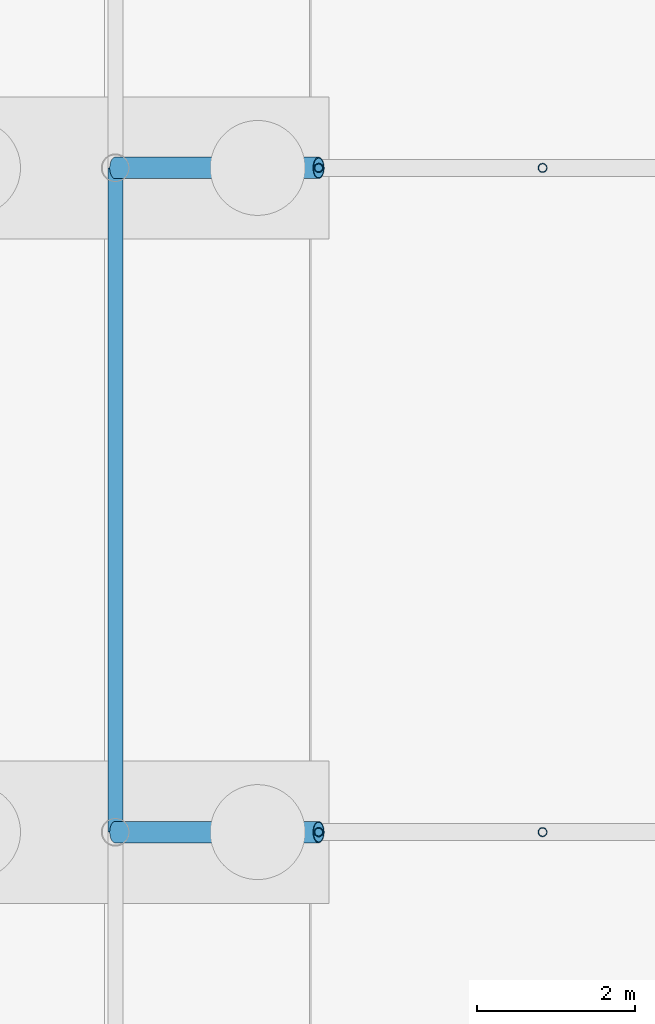
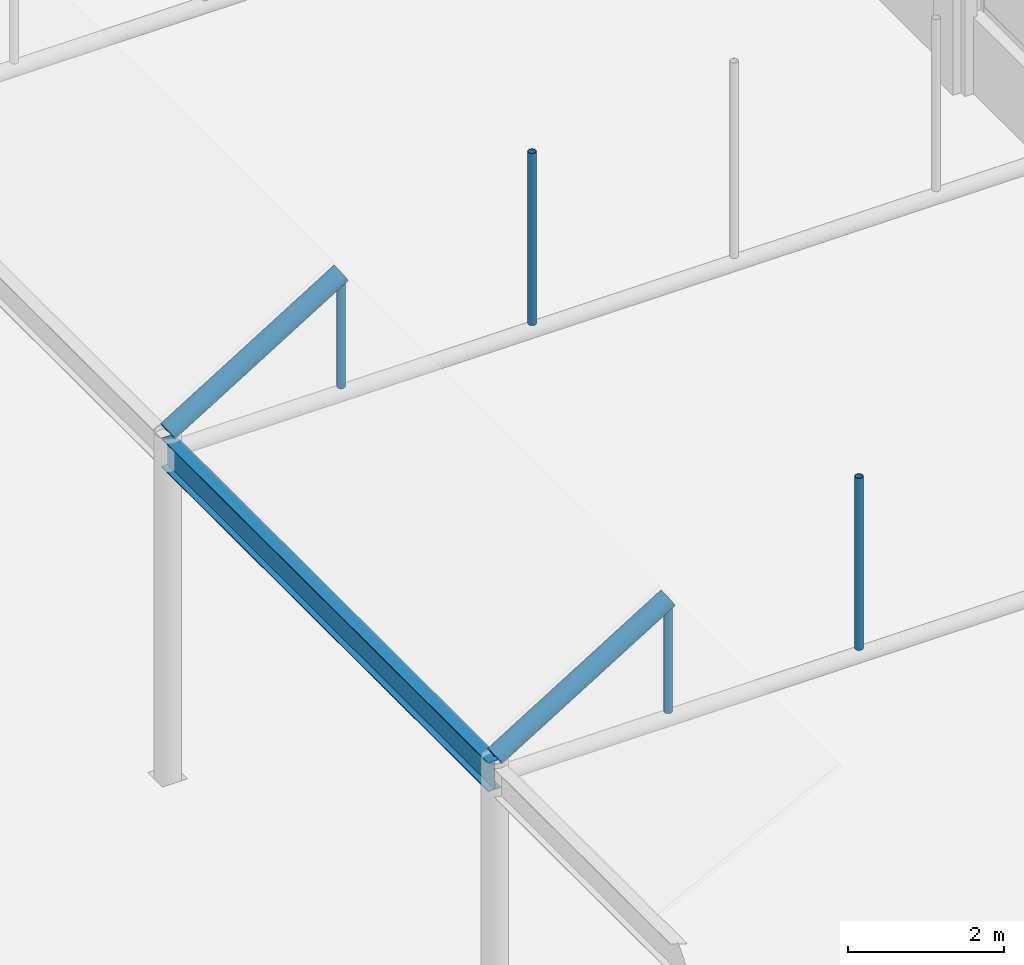
# One storey, part 146 of 212: 6 members, 1 beam.
"""IFC4 building model written with IfcOpenShell, lengths in metres."""

from ifc_helpers import new_model, si_unit, direction, frame, origin, origin_2d, place, context, subcontext, project, spatial, hollow_circle, i_section, extrude, material, material_profile, profile_set, type_object, element, save


model = new_model("IFC4")

# Units and contexts
model_context = context("Model", 3, precision=1e-05, world=origin(), true_north=direction((0.0, 1.0)))
body_context = subcontext(model_context, "Body", "Model", "MODEL_VIEW")
ifc_project = project(units=[si_unit("LENGTHUNIT", "METRE"), si_unit("AREAUNIT", "SQUARE_METRE"), si_unit("VOLUMEUNIT", "CUBIC_METRE"), si_unit("PLANEANGLEUNIT", "RADIAN"), si_unit("MASSUNIT", "GRAM", prefix="KILO")], contexts=[model_context])

# Site, building, storey
site_placement = place(None, origin())
site = spatial("IfcSite", under=ifc_project, at=site_placement, CompositionType="ELEMENT")
building_placement = place(site_placement, origin())
building = spatial("IfcBuilding", under=site, at=building_placement, Name="Catenary Quay Ferry Terminal", CompositionType="ELEMENT")
storey_placement = place(building_placement, origin())
storey = spatial("IfcBuildingStorey", under=building, at=storey_placement, Name="L00", CompositionType="ELEMENT", Elevation=0.0)

# Beam
ifc_material_1 = material(Name="Steel S355", Category="steel")
ifc_material_profile_1 = material_profile(ifc_material_1, i_section(OverallWidth=0.18994140625, OverallDepth=0.453369140625, WebThickness=0.008544921875, FlangeThickness=0.0126953125, at=origin_2d()), Name="UB 457x191x67")
ifc_profile_set_1 = profile_set([ifc_material_profile_1], Name="Steel S355")
beam_type = type_object("IfcBeamType", Name="B1 UB 457x191x67", PredefinedType="BEAM", material=ifc_profile_set_1)
beam_placement = place(storey_placement, frame((8.39990234375, 176.39990234375, 5.10009765625), z_axis=(0.0, 1.0, 0.0), x_axis=(-1.0, 0.0, 0.0)))
element("IfcBeam", 1, at=beam_placement, inside=storey, type_object=beam_type, Name="Eaves beam B-FB14", PredefinedType="BEAM", context=body_context, shape_type="SweptSolid", body=[
    extrude(i_section(OverallWidth=0.18994140625, OverallDepth=0.453369140625, WebThickness=0.008544921875, FlangeThickness=0.0126953125, at=origin_2d()), origin(), (0.0, 0.0, 1.0), 8.400146484375),
])

# Members
ifc_material_2 = material(Name="Steel S355", Category="steel")
ifc_material_profile_2 = material_profile(ifc_material_2, hollow_circle(Radius=0.05712890625, WallThickness=0.00634765625, at=origin_2d()), Name="CHS 114.3x6.3")
ifc_profile_set_2 = profile_set([ifc_material_profile_2], Name="Steel S355")
member_type_1 = type_object("IfcMemberType", Name="HG1 CHS 114.3x6.3", PredefinedType="POST", material=ifc_profile_set_2)
member_1_placement = place(storey_placement, frame((10.970947265625, 176.39990234375, 5.205078125), z_axis=(0.0, 0.0, 1.0), x_axis=(1.0, 0.0, 0.0)))
element("IfcMember", 2, at=member_1_placement, inside=storey, type_object=member_type_1, Name="Hanger FC-14-01", PredefinedType="POST", context=body_context, shape_type="SweptSolid", body=[
    extrude(hollow_circle(Radius=0.05712890625, WallThickness=0.00634765625, at=origin_2d()), origin(), (0.0, 0.0, 1.0), 1.64892578125),
])
member_2_placement = place(storey_placement, frame((13.802978515625, 176.39990234375, 5.205078125), z_axis=(0.0, 0.0, 1.0), x_axis=(1.0, 0.0, 0.0)))
element("IfcMember", 3, at=member_2_placement, inside=storey, type_object=member_type_1, Name="Hanger FC-14-02", PredefinedType="POST", context=body_context, shape_type="SweptSolid", body=[
    extrude(hollow_circle(Radius=0.05712890625, WallThickness=0.00634765625, at=origin_2d()), origin(), (0.0, 0.0, 1.0), 2.69580078125),
])
member_3_placement = place(storey_placement, frame((10.970947265625, 184.800048828125, 5.205078125), z_axis=(0.0, 0.0, 1.0), x_axis=(1.0, 0.0, 0.0)))
element("IfcMember", 4, at=member_3_placement, inside=storey, type_object=member_type_1, Name="Hanger FC-15-01", PredefinedType="POST", context=body_context, shape_type="SweptSolid", body=[
    extrude(hollow_circle(Radius=0.05712890625, WallThickness=0.00634765625, at=origin_2d()), origin(), (0.0, 0.0, 1.0), 1.64892578125),
])
member_4_placement = place(storey_placement, frame((13.802978515625, 184.800048828125, 5.205078125), z_axis=(0.0, 0.0, 1.0), x_axis=(1.0, 0.0, 0.0)))
element("IfcMember", 5, at=member_4_placement, inside=storey, type_object=member_type_1, Name="Hanger FC-15-02", PredefinedType="POST", context=body_context, shape_type="SweptSolid", body=[
    extrude(hollow_circle(Radius=0.05712890625, WallThickness=0.00634765625, at=origin_2d()), origin(), (0.0, 0.0, 1.0), 2.69580078125),
])
ifc_material_3 = material(Name="Steel S355", Category="steel")
ifc_material_profile_3 = material_profile(ifc_material_3, hollow_circle(Radius=0.136474609375, WallThickness=0.012451171875, at=origin_2d()), Name="CHS 273x12.5")
ifc_profile_set_3 = profile_set([ifc_material_profile_3], Name="Steel S355")
member_type_2 = type_object("IfcMemberType", Name="VR2 CHS 273x12.5", PredefinedType="RAFTER", material=ifc_profile_set_3)
for number, where, z_axis, x_axis, name in (
    (6, (8.39990234375, 176.39990234375, 5.39990234375), (0.851391726314, 0.0, 0.524530388408), (0.0, 1.0, 0.0), "rib FC-14-01"),
    (7, (8.39990234375, 184.800048828125, 5.39990234375), (0.851391726314, 0.0, 0.524530388408), (0.0, 1.0, 0.0), "rib FC-15-01"),
):
    element("IfcMember", number, at=place(storey_placement, frame(where, z_axis=z_axis, x_axis=x_axis)), inside=storey, type_object=member_type_2, Name=name, PredefinedType="RAFTER", context=body_context, shape_type="SweptSolid", body=[
        extrude(hollow_circle(Radius=0.136474609375, WallThickness=0.012451171875, at=origin_2d()), origin(), (0.0, 0.0, 1.0), 3.019775390625),
    ])

save(model, "model.ifc")
